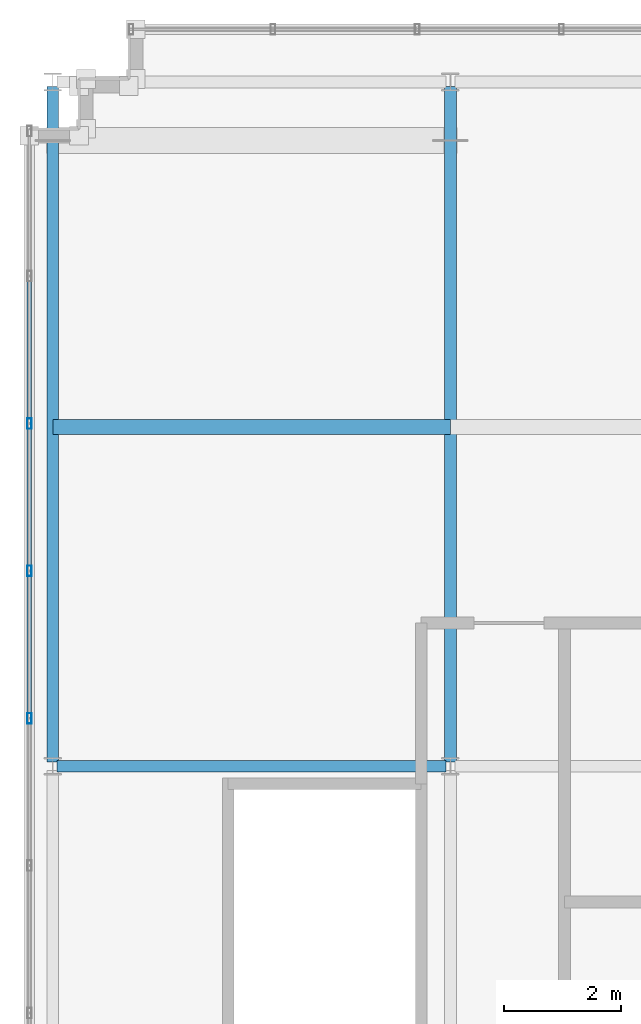
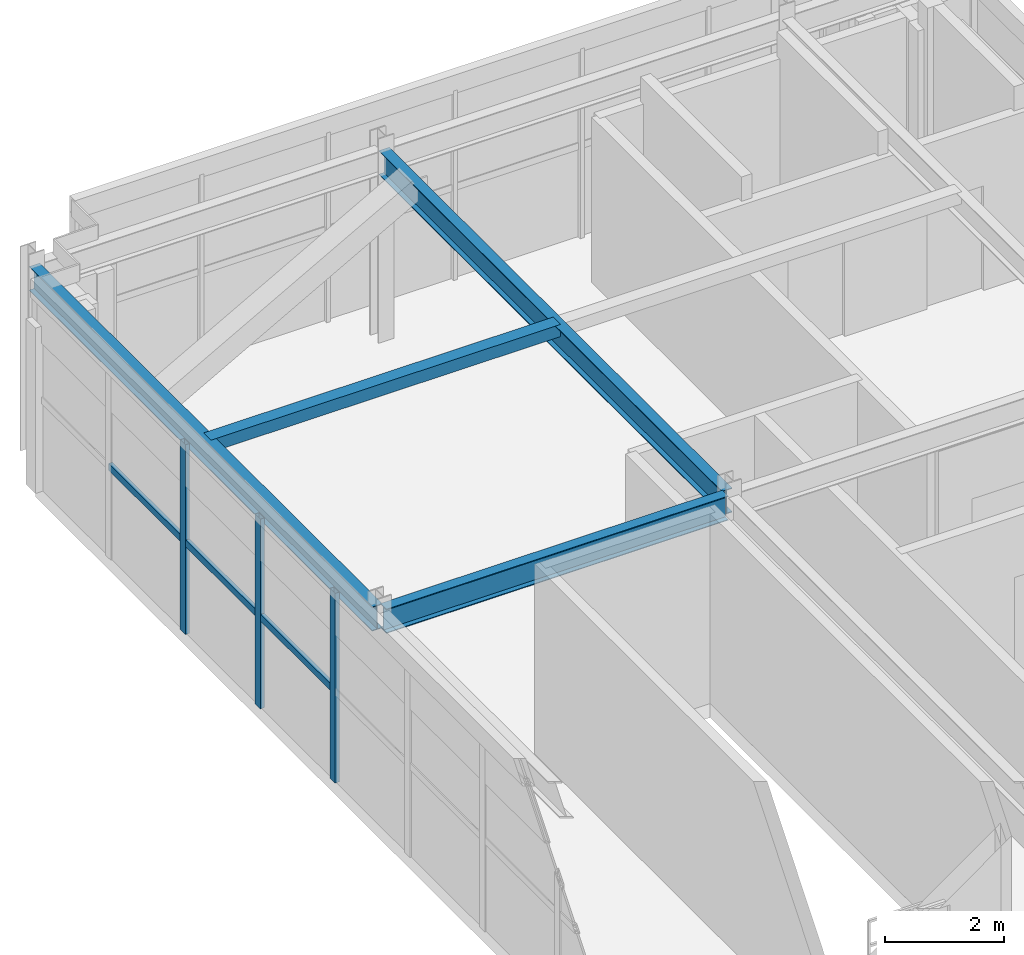
# One storey, part 8 of 25: 7 members, 3 beams, 1 element without a shape of its own.
"""IFC4 building model written with IfcOpenShell, lengths in metres."""

from ifc_helpers import new_model, si_unit, direction, frame, origin, origin_2d, place, context, subcontext, project, spatial, hollow_rectangle, i_section, extrude, source, transform, mapped, material, material_profile, profile_set, type_object, element, aggregate, save


model = new_model("IFC4")

# Units and contexts
model_context = context("Model", 3, precision=1e-05, world=origin(), true_north=direction((0.0, 1.0)))
body_context = subcontext(model_context, "Body", "Model", "MODEL_VIEW")
ifc_project = project(units=[si_unit("LENGTHUNIT", "METRE"), si_unit("AREAUNIT", "SQUARE_METRE"), si_unit("VOLUMEUNIT", "CUBIC_METRE"), si_unit("PLANEANGLEUNIT", "RADIAN"), si_unit("MASSUNIT", "GRAM", prefix="KILO")], contexts=[model_context])

# Site, building, storey
site_placement = place(None, origin())
site = spatial("IfcSite", under=ifc_project, at=site_placement, CompositionType="ELEMENT")
building_placement = place(site_placement, origin())
building = spatial("IfcBuilding", under=site, at=building_placement, Name="Trelvane Seafront Commons", CompositionType="ELEMENT")
storey_placement = place(building_placement, frame((0.0, 0.0, 320.89990234375)))
storey = spatial("IfcBuildingStorey", under=building, at=storey_placement, Name="L83", CompositionType="ELEMENT", Elevation=320.89990234375)

# Beams
ifc_material_1 = material(Name="Steel SM355 (S355)", Category="steel")
ifc_material_profile_1 = material_profile(ifc_material_1, i_section(OverallWidth=0.199951171875, OverallDepth=0.5, WebThickness=0.010009765625, FlangeThickness=0.01611328125, at=origin_2d()), Name="H-500x200x10x16")
ifc_profile_set_1 = profile_set([ifc_material_profile_1], Name="Steel SM355 (S355)")
beam_type_1 = type_object("IfcBeamType", Name="STR-CROWN-FRAME-RING", PredefinedType="SPANDREL", material=ifc_profile_set_1)
shared_shape_1 = source(origin(), body_context, "Body", "SweptSolid", [
    extrude(i_section(OverallWidth=0.199951171875, OverallDepth=0.5, WebThickness=0.010009765625, FlangeThickness=0.01611328125, at=origin_2d()), origin(), (0.0, 0.0, 1.0), 6.64990234375),
])
beam_placement = place(storey_placement, frame((8.875, 33.39990234375, 3.650146484375), z_axis=(1.0, 0.0, 0.0), x_axis=(0.0, 1.0, 0.0)))
element("IfcBeam", 1, at=beam_placement, inside=storey, type_object=beam_type_1, Name="L83 CROWN FRAME Ring Beam G-05", PredefinedType="SPANDREL", context=body_context, shape_type="MappedRepresentation", body=[
    mapped(shared_shape_1, transform((0.0, 0.0, 0.0), x_axis=(1.0, 0.0, 0.0), y_axis=(0.0, 1.0, 0.0), z_axis=(0.0, 0.0, 1.0), scale=1.0)),
])
ifc_material_profile_2 = material_profile(ifc_material_1, i_section(OverallWidth=0.199951171875, OverallDepth=0.5, WebThickness=0.010009765625, FlangeThickness=0.01611328125, at=origin_2d()), Name="H-500x200x10x16")
ifc_profile_set_2 = profile_set([ifc_material_profile_2], Name="Steel SM355 (S355)")
beam_type_2 = type_object("IfcBeamType", Name="STR-BM-H500", PredefinedType="BEAM", material=ifc_profile_set_2)
shared_shape_2 = source(origin(), body_context, "Body", "SweptSolid", [
    extrude(i_section(OverallWidth=0.199951171875, OverallDepth=0.5, WebThickness=0.010009765625, FlangeThickness=0.01611328125, at=origin_2d()), origin(), (0.0, 0.0, 1.0), 11.5498046875),
])
for number, where, z_axis, x_axis, name in (
    (2, (8.800048828125, 33.47509765625, 3.650146484375), (0.0, 1.0, 0.0), (-1.0, 0.0, 0.0), "L83 Primary Girder G-14"),
    (3, (15.60009765625, 33.47509765625, 3.650146484375), (0.0, 1.0, 0.0), (-1.0, 0.0, 0.0), "L83 Primary Girder G-16"),
):
    element("IfcBeam", number, at=place(storey_placement, frame(where, z_axis=z_axis, x_axis=x_axis)), inside=storey, type_object=beam_type_2, Name=name, PredefinedType="BEAM", context=body_context, shape_type="MappedRepresentation", body=[
        mapped(shared_shape_2, transform((0.0, 0.0, 0.0), x_axis=(1.0, 0.0, 0.0), y_axis=(0.0, 1.0, 0.0), z_axis=(0.0, 0.0, 1.0), scale=1.0)),
    ])

# Member
ifc_material_profile_3 = material_profile(ifc_material_1, hollow_rectangle(XDim=0.25, YDim=0.25, WallThickness=0.010009765625, at=origin_2d()), Name="RHS-250x250x10")
ifc_profile_set_3 = profile_set([ifc_material_profile_3], Name="Steel SM355 (S355)")
member_type_1 = type_object("IfcMemberType", Name="STR-PUR-RHS250", PredefinedType="PURLIN", material=ifc_profile_set_3)
shared_shape_3 = source(origin(), body_context, "Body", "SweptSolid", [
    extrude(hollow_rectangle(XDim=0.25, YDim=0.25, WallThickness=0.010009765625, at=origin_2d()), origin(), (0.0, 0.0, 1.0), 6.800048828125),
])
member_1_placement = place(storey_placement, frame((8.800048828125, 39.199951171875, 3.775146484375), z_axis=(1.0, 0.0, 0.0), x_axis=(0.0, 1.0, 0.0)))
element("IfcMember", 4, at=member_1_placement, inside=storey, type_object=member_type_1, Name="L83 Crown Roof Purlin PR-1", PredefinedType="PURLIN", context=body_context, shape_type="MappedRepresentation", body=[
    mapped(shared_shape_3, transform((0.0, 0.0, 0.0), x_axis=(1.0, 0.0, 0.0), y_axis=(0.0, 1.0, 0.0), z_axis=(0.0, 0.0, 1.0), scale=1.0)),
])

# Curtain wall, members
ifc_material_2 = material(Name="Anodised pale-silver aluminium", Category="aluminium")
curtain_wall_type = type_object("IfcCurtainWallType", Name="ARCH-CW6-CROWN", PredefinedType="NOTDEFINED", material=ifc_material_2)
curtain_wall_placement = place(storey_placement, origin())
curtain_wall = element("IfcCurtainWall", 5, at=curtain_wall_placement, inside=storey, type_object=curtain_wall_type, Name="CW-L83-0160", PredefinedType="NOTDEFINED")
ifc_material_profile_4 = material_profile(ifc_material_2, hollow_rectangle(XDim=0.080078125, YDim=0.179931640625, WallThickness=0.00439453125, at=origin_2d()), Name="MULL-80x180x4.5")
ifc_profile_set_4 = profile_set([ifc_material_profile_4], Name="Anodised pale-silver aluminium")
member_type_2 = type_object("IfcMemberType", Name="ARCH-CW-MULL-180", PredefinedType="MULLION", material=ifc_profile_set_4)
shared_shape_4 = source(origin(), body_context, "Body", "SweptSolid", [
    extrude(hollow_rectangle(XDim=0.080078125, YDim=0.179931640625, WallThickness=0.00439453125, at=origin_2d()), origin(), (0.0, 0.0, 1.0), 3.900146484375),
])
member_2_placement = place(storey_placement, frame((8.39990234375, 34.219970703125, 0.0), z_axis=(0.0, 0.0, 1.0), x_axis=(1.0, 0.0, 0.0)))
member_2 = element("IfcMember", 6, at=member_2_placement, type_object=member_type_2, Name="CW-L83-0160-M06", PredefinedType="MULLION", context=body_context, shape_type="MappedRepresentation", body=[
    mapped(shared_shape_4, transform((0.0, 0.0, 0.0), x_axis=(1.0, 0.0, 0.0), y_axis=(0.0, 1.0, 0.0), z_axis=(0.0, 0.0, 1.0), scale=1.0)),
])
member_3_placement = place(storey_placement, frame((8.39990234375, 36.739990234375, 0.0), z_axis=(0.0, 0.0, 1.0), x_axis=(1.0, 0.0, 0.0)))
member_3 = element("IfcMember", 7, at=member_3_placement, type_object=member_type_2, Name="CW-L83-0160-M07", PredefinedType="MULLION", context=body_context, shape_type="MappedRepresentation", body=[
    mapped(shared_shape_4, transform((0.0, 0.0, 0.0), x_axis=(1.0, 0.0, 0.0), y_axis=(0.0, 1.0, 0.0), z_axis=(0.0, 0.0, 1.0), scale=1.0)),
])
member_4_placement = place(storey_placement, frame((8.39990234375, 39.260009765625, 0.0), z_axis=(0.0, 0.0, 1.0), x_axis=(1.0, 0.0, 0.0)))
member_4 = element("IfcMember", 8, at=member_4_placement, type_object=member_type_2, Name="CW-L83-0160-M08", PredefinedType="MULLION", context=body_context, shape_type="MappedRepresentation", body=[
    mapped(shared_shape_4, transform((0.0, 0.0, 0.0), x_axis=(1.0, 0.0, 0.0), y_axis=(0.0, 1.0, 0.0), z_axis=(0.0, 0.0, 1.0), scale=1.0)),
])
ifc_material_profile_5 = material_profile(ifc_material_2, hollow_rectangle(XDim=0.074951171875, YDim=0.139892578125, WallThickness=0.00390625, at=origin_2d()), Name="TRAN-75x140x4")
ifc_profile_set_5 = profile_set([ifc_material_profile_5], Name="Anodised pale-silver aluminium")
member_type_3 = type_object("IfcMemberType", Name="ARCH-CW-TRAN-140", PredefinedType="USERDEFINED", material=ifc_profile_set_5)
shared_shape_5 = source(origin(), body_context, "Body", "SweptSolid", [
    extrude(hollow_rectangle(XDim=0.074951171875, YDim=0.139892578125, WallThickness=0.00390625, at=origin_2d()), origin(), (0.0, 0.0, 1.0), 2.49609375),
])
member_5_placement = place(storey_placement, frame((8.39990234375, 34.23193359375, 1.8720703125), z_axis=(0.0, 1.0, 0.0), x_axis=(-1.0, 0.0, 0.0)))
member_5 = element("IfcMember", 9, at=member_5_placement, type_object=member_type_3, Name="CW-L83-0160-T06", ObjectType="TRANSOM", PredefinedType="USERDEFINED", context=body_context, shape_type="MappedRepresentation", body=[
    mapped(shared_shape_5, transform((0.0, 0.0, 0.0), x_axis=(1.0, 0.0, 0.0), y_axis=(0.0, 1.0, 0.0), z_axis=(0.0, 0.0, 1.0), scale=1.0)),
])
member_6_placement = place(storey_placement, frame((8.39990234375, 36.751953125, 1.8720703125), z_axis=(0.0, 1.0, 0.0), x_axis=(-1.0, 0.0, 0.0)))
member_6 = element("IfcMember", 10, at=member_6_placement, type_object=member_type_3, Name="CW-L83-0160-T07", ObjectType="TRANSOM", PredefinedType="USERDEFINED", context=body_context, shape_type="MappedRepresentation", body=[
    mapped(shared_shape_5, transform((0.0, 0.0, 0.0), x_axis=(1.0, 0.0, 0.0), y_axis=(0.0, 1.0, 0.0), z_axis=(0.0, 0.0, 1.0), scale=1.0)),
])
member_7_placement = place(storey_placement, frame((8.39990234375, 39.27197265625, 1.8720703125), z_axis=(0.0, 1.0, 0.0), x_axis=(-1.0, 0.0, 0.0)))
member_7 = element("IfcMember", 11, at=member_7_placement, type_object=member_type_3, Name="CW-L83-0160-T08", ObjectType="TRANSOM", PredefinedType="USERDEFINED", context=body_context, shape_type="MappedRepresentation", body=[
    mapped(shared_shape_5, transform((0.0, 0.0, 0.0), x_axis=(1.0, 0.0, 0.0), y_axis=(0.0, 1.0, 0.0), z_axis=(0.0, 0.0, 1.0), scale=1.0)),
])
aggregate(curtain_wall, [member_2, member_3, member_4, member_5, member_6, member_7])

save(model, "model.ifc")
